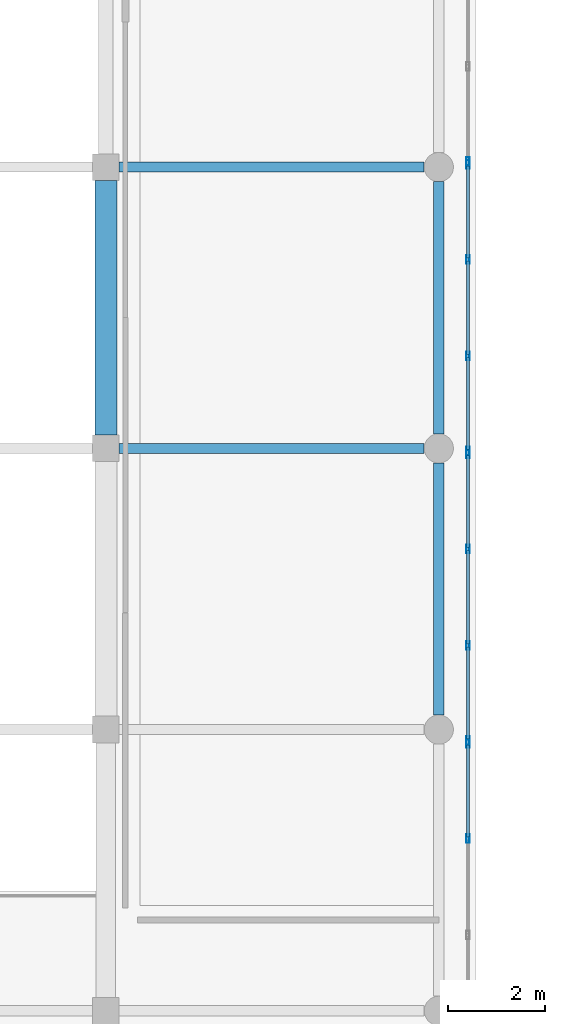
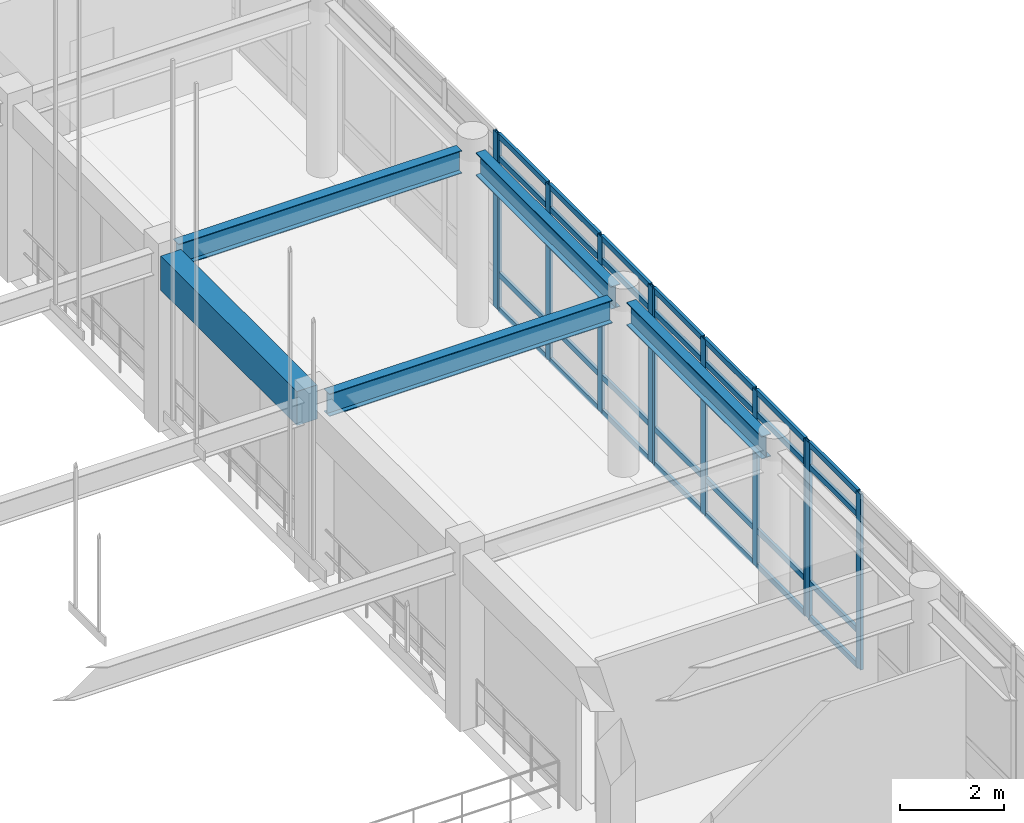
# One storey, part 33 of 142: 39 members, 5 beams, 4 elements without a shape of their own.
"""IFC4 building model written with IfcOpenShell, lengths in metres."""

from ifc_helpers import new_model, si_unit, direction, frame, origin, origin_2d, place, context, subcontext, project, spatial, rectangle, hollow_rectangle, i_section, extrude, material, layer, layer_set, material_profile, profile_set, type_object, element, aggregate, save


model = new_model("IFC4")

# Units and contexts
model_context = context("Model", 3, precision=1e-05, world=origin(), true_north=direction((0.0, 1.0)))
body_context = subcontext(model_context, "Body", "Model", "MODEL_VIEW")
ifc_project = project(units=[si_unit("LENGTHUNIT", "METRE"), si_unit("AREAUNIT", "SQUARE_METRE"), si_unit("VOLUMEUNIT", "CUBIC_METRE"), si_unit("PLANEANGLEUNIT", "RADIAN"), si_unit("MASSUNIT", "GRAM", prefix="KILO")], contexts=[model_context])

# Site, building, storey
site_placement = place(None, origin())
site = spatial("IfcSite", under=ifc_project, at=site_placement, CompositionType="ELEMENT")
building_placement = place(site_placement, origin())
building = spatial("IfcBuilding", under=site, at=building_placement, Name="Valcora Specialist Clinic", CompositionType="ELEMENT")
storey_placement = place(building_placement, frame((0.0, 0.0, 5.10009765625)))
storey = spatial("IfcBuildingStorey", under=building, at=storey_placement, Name="L01", CompositionType="ELEMENT", Elevation=5.10009765625)

# Beams
ifc_material_1 = material(Name="Steel ASTM A992 Grade 50", Category="steel")
ifc_material_profile_1 = material_profile(ifc_material_1, i_section(OverallWidth=0.208984375, OverallDepth=0.532958984375, WebThickness=0.010009765625, FlangeThickness=0.01611328125, at=origin_2d()), Name="ST-IR-530X210")
ifc_profile_set_1 = profile_set([ifc_material_profile_1], Name="Steel ASTM A992 Grade 50")
beam_type_1 = type_object("IfcBeamType", Name="TY-BM-IR530", PredefinedType="SPANDREL", material=ifc_profile_set_1)
for number, where, z_axis, x_axis, name in (
    (1, (22.675048828125, 56.10693359375, 3.849365234375), (1.0, 0.0, 0.0), (0.0, 1.0, 0.0), "Beam BM-L01-0146"),
    (2, (22.675048828125, 61.89306640625, 3.849365234375), (1.0, 0.0, 0.0), (0.0, 1.0, 0.0), "Beam BM-L01-0149"),
):
    element("IfcBeam", number, at=place(storey_placement, frame(where, z_axis=z_axis, x_axis=x_axis)), inside=storey, type_object=beam_type_1, Name=name, PredefinedType="SPANDREL", context=body_context, shape_type="SweptSolid", body=[
        extrude(i_section(OverallWidth=0.208984375, OverallDepth=0.532958984375, WebThickness=0.010009765625, FlangeThickness=0.01611328125, at=origin_2d()), origin(), (0.0, 0.0, 1.0), 6.27490234375),
    ])
beam_1_placement = place(storey_placement, frame((29.25, 50.62109375, 3.849365234375), z_axis=(0.0, 1.0, 0.0), x_axis=(-1.0, 0.0, 0.0)))
element("IfcBeam", 3, at=beam_1_placement, inside=storey, type_object=beam_type_1, Name="Beam BM-L01-0184", PredefinedType="SPANDREL", context=body_context, shape_type="SweptSolid", body=[
    extrude(i_section(OverallWidth=0.208984375, OverallDepth=0.532958984375, WebThickness=0.010009765625, FlangeThickness=0.01611328125, at=origin_2d()), origin(), (0.0, 0.0, 1.0), 5.185791015625),
])
beam_2_placement = place(storey_placement, frame((29.25, 56.406982421875, 3.849365234375), z_axis=(0.0, 1.0, 0.0), x_axis=(-1.0, 0.0, 0.0)))
element("IfcBeam", 4, at=beam_2_placement, inside=storey, type_object=beam_type_1, Name="Beam BM-L01-0185", PredefinedType="SPANDREL", context=body_context, shape_type="SweptSolid", body=[
    extrude(i_section(OverallWidth=0.208984375, OverallDepth=0.532958984375, WebThickness=0.010009765625, FlangeThickness=0.01611328125, at=origin_2d()), origin(), (0.0, 0.0, 1.0), 5.18603515625),
])
ifc_material_2 = material(Name="Concrete C40/50", Category="concrete")
ifc_material_profile_2 = material_profile(ifc_material_2, rectangle(XDim=0.449951171875, YDim=0.800048828125, at=origin_2d()), Name="RC-BM-450X800")
ifc_profile_set_2 = profile_set([ifc_material_profile_2], Name="Concrete C40/50")
beam_type_2 = type_object("IfcBeamType", Name="TY-BM-RC450X800", PredefinedType="BEAM", material=ifc_profile_set_2)
beam_3_placement = place(storey_placement, frame((22.39990234375, 56.382080078125, 3.719970703125), z_axis=(0.0, 1.0, 0.0), x_axis=(-1.0, 0.0, 0.0)))
element("IfcBeam", 5, at=beam_3_placement, inside=storey, type_object=beam_type_2, Name="Beam BM-L01-0178", PredefinedType="BEAM", context=body_context, shape_type="SweptSolid", body=[
    extrude(rectangle(XDim=0.449951171875, YDim=0.800048828125, at=origin_2d()), origin(), (0.0, 0.0, 1.0), 5.23583984375),
])

# Curtain wall, member
ifc_material_3 = material(Name="Anodized Bronze Aluminium 6063-T6", Category="aluminium")
ifc_layer = layer(ifc_material_3, 0.175048828125)
ifc_layer_set = layer_set([ifc_layer], Name="Anodized Bronze Aluminium 6063-T6")
curtain_wall_type = type_object("IfcCurtainWallType", Name="TY-CW-HAL18", PredefinedType="NOTDEFINED", material=ifc_layer_set)
curtain_wall_1_placement = place(storey_placement, origin())
curtain_wall_1 = element("IfcCurtainWall", 6, at=curtain_wall_1_placement, inside=storey, type_object=curtain_wall_type, Name="Curtain wall CW-L01-010", PredefinedType="NOTDEFINED")
ifc_material_profile_3 = material_profile(ifc_material_3, hollow_rectangle(XDim=0.06494140625, YDim=0.175048828125, WallThickness=0.00390625, at=origin_2d()), Name="AL-MUL-65X175")
ifc_profile_set_3 = profile_set([ifc_material_profile_3], Name="Anodized Bronze Aluminium 6063-T6")
member_type_1 = type_object("IfcMemberType", Name="TY-CWM-65X175", PredefinedType="MULLION", material=ifc_profile_set_3)
member_1_placement = place(storey_placement, frame((29.85009765625, 62.010986328125, 0.0), z_axis=(0.0, 0.0, 1.0), x_axis=(1.0, 0.0, 0.0)))
member_1 = element("IfcMember", 7, at=member_1_placement, type_object=member_type_1, Name="CW-HAL-18 mullion 4", PredefinedType="MULLION", context=body_context, shape_type="SweptSolid", body=[
    extrude(hollow_rectangle(XDim=0.06494140625, YDim=0.175048828125, WallThickness=0.00390625, at=origin_2d()), origin(), (0.0, 0.0, 1.0), 4.119873046875),
])
aggregate(curtain_wall_1, [member_1])

# Curtain wall, members
curtain_wall_2_placement = place(storey_placement, origin())
curtain_wall_2 = element("IfcCurtainWall", 8, at=curtain_wall_2_placement, inside=storey, type_object=curtain_wall_type, Name="Curtain wall CW-L01-011", PredefinedType="NOTDEFINED")
member_2_placement = place(storey_placement, frame((29.85009765625, 61.946044921875, 0.0), z_axis=(0.0, 0.0, 1.0), x_axis=(1.0, 0.0, 0.0)))
member_2 = element("IfcMember", 9, at=member_2_placement, type_object=member_type_1, Name="CW-HAL-18 mullion 1", PredefinedType="MULLION", context=body_context, shape_type="SweptSolid", body=[
    extrude(hollow_rectangle(XDim=0.06494140625, YDim=0.175048828125, WallThickness=0.00390625, at=origin_2d()), origin(), (0.0, 0.0, 1.0), 4.119873046875),
])
member_3_placement = place(storey_placement, frame((29.85009765625, 59.992919921875, 0.0), z_axis=(0.0, 0.0, 1.0), x_axis=(1.0, 0.0, 0.0)))
member_3 = element("IfcMember", 10, at=member_3_placement, type_object=member_type_1, Name="CW-HAL-18 mullion 2", PredefinedType="MULLION", context=body_context, shape_type="SweptSolid", body=[
    extrude(hollow_rectangle(XDim=0.06494140625, YDim=0.175048828125, WallThickness=0.00390625, at=origin_2d()), origin(), (0.0, 0.0, 1.0), 4.119873046875),
])
member_4_placement = place(storey_placement, frame((29.85009765625, 58.007080078125, 0.0), z_axis=(0.0, 0.0, 1.0), x_axis=(1.0, 0.0, 0.0)))
member_4 = element("IfcMember", 11, at=member_4_placement, type_object=member_type_1, Name="CW-HAL-18 mullion 3", PredefinedType="MULLION", context=body_context, shape_type="SweptSolid", body=[
    extrude(hollow_rectangle(XDim=0.06494140625, YDim=0.175048828125, WallThickness=0.00390625, at=origin_2d()), origin(), (0.0, 0.0, 1.0), 4.119873046875),
])
member_5_placement = place(storey_placement, frame((29.85009765625, 56.053955078125, 0.0), z_axis=(0.0, 0.0, 1.0), x_axis=(1.0, 0.0, 0.0)))
member_5 = element("IfcMember", 12, at=member_5_placement, type_object=member_type_1, Name="CW-HAL-18 mullion 4", PredefinedType="MULLION", context=body_context, shape_type="SweptSolid", body=[
    extrude(hollow_rectangle(XDim=0.06494140625, YDim=0.175048828125, WallThickness=0.00390625, at=origin_2d()), origin(), (0.0, 0.0, 1.0), 4.119873046875),
])

curtain_wall_3_placement = place(storey_placement, origin())
curtain_wall_3 = element("IfcCurtainWall", 13, at=curtain_wall_3_placement, inside=storey, type_object=curtain_wall_type, Name="Curtain wall CW-L01-012", PredefinedType="NOTDEFINED")
member_6_placement = place(storey_placement, frame((29.85009765625, 55.989013671875, 0.0), z_axis=(0.0, 0.0, 1.0), x_axis=(1.0, 0.0, 0.0)))
member_6 = element("IfcMember", 14, at=member_6_placement, type_object=member_type_1, Name="CW-HAL-18 mullion 1", PredefinedType="MULLION", context=body_context, shape_type="SweptSolid", body=[
    extrude(hollow_rectangle(XDim=0.06494140625, YDim=0.175048828125, WallThickness=0.00390625, at=origin_2d()), origin(), (0.0, 0.0, 1.0), 4.119873046875),
])
member_7_placement = place(storey_placement, frame((29.85009765625, 54.03564453125, 0.0), z_axis=(0.0, 0.0, 1.0), x_axis=(1.0, 0.0, 0.0)))
member_7 = element("IfcMember", 15, at=member_7_placement, type_object=member_type_1, Name="CW-HAL-18 mullion 2", PredefinedType="MULLION", context=body_context, shape_type="SweptSolid", body=[
    extrude(hollow_rectangle(XDim=0.06494140625, YDim=0.175048828125, WallThickness=0.00390625, at=origin_2d()), origin(), (0.0, 0.0, 1.0), 4.119873046875),
])
member_8_placement = place(storey_placement, frame((29.85009765625, 52.050048828125, 0.0), z_axis=(0.0, 0.0, 1.0), x_axis=(1.0, 0.0, 0.0)))
member_8 = element("IfcMember", 16, at=member_8_placement, type_object=member_type_1, Name="CW-HAL-18 mullion 3", PredefinedType="MULLION", context=body_context, shape_type="SweptSolid", body=[
    extrude(hollow_rectangle(XDim=0.06494140625, YDim=0.175048828125, WallThickness=0.00390625, at=origin_2d()), origin(), (0.0, 0.0, 1.0), 4.119873046875),
])
member_9_placement = place(storey_placement, frame((29.85009765625, 50.0966796875, 0.0), z_axis=(0.0, 0.0, 1.0), x_axis=(1.0, 0.0, 0.0)))
member_9 = element("IfcMember", 17, at=member_9_placement, type_object=member_type_1, Name="CW-HAL-18 mullion 4", PredefinedType="MULLION", context=body_context, shape_type="SweptSolid", body=[
    extrude(hollow_rectangle(XDim=0.06494140625, YDim=0.175048828125, WallThickness=0.00390625, at=origin_2d()), origin(), (0.0, 0.0, 1.0), 4.119873046875),
])

curtain_wall_4_placement = place(storey_placement, origin())
curtain_wall_4 = element("IfcCurtainWall", 18, at=curtain_wall_4_placement, inside=storey, type_object=curtain_wall_type, Name="Curtain wall CW-L01-013", PredefinedType="NOTDEFINED")
member_10_placement = place(storey_placement, frame((29.85009765625, 50.03173828125, 0.0), z_axis=(0.0, 0.0, 1.0), x_axis=(1.0, 0.0, 0.0)))
member_10 = element("IfcMember", 19, at=member_10_placement, type_object=member_type_1, Name="CW-HAL-18 mullion 1", PredefinedType="MULLION", context=body_context, shape_type="SweptSolid", body=[
    extrude(hollow_rectangle(XDim=0.06494140625, YDim=0.175048828125, WallThickness=0.00390625, at=origin_2d()), origin(), (0.0, 0.0, 1.0), 4.119873046875),
])
member_11_placement = place(storey_placement, frame((29.85009765625, 48.07861328125, 0.0), z_axis=(0.0, 0.0, 1.0), x_axis=(1.0, 0.0, 0.0)))
member_11 = element("IfcMember", 20, at=member_11_placement, type_object=member_type_1, Name="CW-HAL-18 mullion 2", PredefinedType="MULLION", context=body_context, shape_type="SweptSolid", body=[
    extrude(hollow_rectangle(XDim=0.06494140625, YDim=0.175048828125, WallThickness=0.00390625, at=origin_2d()), origin(), (0.0, 0.0, 1.0), 4.119873046875),
])

# Member
ifc_material_profile_4 = material_profile(ifc_material_3, hollow_rectangle(XDim=0.06494140625, YDim=0.1298828125, WallThickness=0.00390625, at=origin_2d()), Name="AL-TRN-65X130")
ifc_profile_set_4 = profile_set([ifc_material_profile_4], Name="Anodized Bronze Aluminium 6063-T6")
member_type_2 = type_object("IfcMemberType", Name="TY-CWT-65X130", PredefinedType="USERDEFINED", material=ifc_profile_set_4)
member_12_placement = place(storey_placement, frame((29.85009765625, 61.91357421875, 0.032470703125), z_axis=(0.0, -1.0, 0.0), x_axis=(1.0, 0.0, 0.0)))
member_12 = element("IfcMember", 21, at=member_12_placement, type_object=member_type_2, Name="CW-HAL-18 transom 1.1", ObjectType="TRANSOM", PredefinedType="USERDEFINED", context=body_context, shape_type="SweptSolid", body=[
    extrude(hollow_rectangle(XDim=0.06494140625, YDim=0.1298828125, WallThickness=0.00390625, at=origin_2d()), origin(), (0.0, 0.0, 1.0), 1.88818359375),
])

member_13_placement = place(storey_placement, frame((29.85009765625, 61.91357421875, 0.849853515625), z_axis=(0.0, -1.0, 0.0), x_axis=(1.0, 0.0, 0.0)))
member_13 = element("IfcMember", 22, at=member_13_placement, type_object=member_type_2, Name="CW-HAL-18 transom 1.2", ObjectType="TRANSOM", PredefinedType="USERDEFINED", context=body_context, shape_type="SweptSolid", body=[
    extrude(hollow_rectangle(XDim=0.06494140625, YDim=0.1298828125, WallThickness=0.00390625, at=origin_2d()), origin(), (0.0, 0.0, 1.0), 1.88818359375),
])

member_14_placement = place(storey_placement, frame((29.85009765625, 61.91357421875, 3.56982421875), z_axis=(0.0, -1.0, 0.0), x_axis=(1.0, 0.0, 0.0)))
member_14 = element("IfcMember", 23, at=member_14_placement, type_object=member_type_2, Name="CW-HAL-18 transom 1.3", ObjectType="TRANSOM", PredefinedType="USERDEFINED", context=body_context, shape_type="SweptSolid", body=[
    extrude(hollow_rectangle(XDim=0.06494140625, YDim=0.1298828125, WallThickness=0.00390625, at=origin_2d()), origin(), (0.0, 0.0, 1.0), 1.88818359375),
])

member_15_placement = place(storey_placement, frame((29.85009765625, 61.91357421875, 4.08740234375), z_axis=(0.0, -1.0, 0.0), x_axis=(1.0, 0.0, 0.0)))
member_15 = element("IfcMember", 24, at=member_15_placement, type_object=member_type_2, Name="CW-HAL-18 transom 1.4", ObjectType="TRANSOM", PredefinedType="USERDEFINED", context=body_context, shape_type="SweptSolid", body=[
    extrude(hollow_rectangle(XDim=0.06494140625, YDim=0.1298828125, WallThickness=0.00390625, at=origin_2d()), origin(), (0.0, 0.0, 1.0), 1.88818359375),
])

member_16_placement = place(storey_placement, frame((29.85009765625, 59.96044921875, 0.032470703125), z_axis=(0.0, -1.0, 0.0), x_axis=(1.0, 0.0, 0.0)))
member_16 = element("IfcMember", 25, at=member_16_placement, type_object=member_type_2, Name="CW-HAL-18 transom 2.1", ObjectType="TRANSOM", PredefinedType="USERDEFINED", context=body_context, shape_type="SweptSolid", body=[
    extrude(hollow_rectangle(XDim=0.06494140625, YDim=0.1298828125, WallThickness=0.00390625, at=origin_2d()), origin(), (0.0, 0.0, 1.0), 1.9208984375),
])

member_17_placement = place(storey_placement, frame((29.85009765625, 59.96044921875, 0.849853515625), z_axis=(0.0, -1.0, 0.0), x_axis=(1.0, 0.0, 0.0)))
member_17 = element("IfcMember", 26, at=member_17_placement, type_object=member_type_2, Name="CW-HAL-18 transom 2.2", ObjectType="TRANSOM", PredefinedType="USERDEFINED", context=body_context, shape_type="SweptSolid", body=[
    extrude(hollow_rectangle(XDim=0.06494140625, YDim=0.1298828125, WallThickness=0.00390625, at=origin_2d()), origin(), (0.0, 0.0, 1.0), 1.9208984375),
])

member_18_placement = place(storey_placement, frame((29.85009765625, 59.96044921875, 3.56982421875), z_axis=(0.0, -1.0, 0.0), x_axis=(1.0, 0.0, 0.0)))
member_18 = element("IfcMember", 27, at=member_18_placement, type_object=member_type_2, Name="CW-HAL-18 transom 2.3", ObjectType="TRANSOM", PredefinedType="USERDEFINED", context=body_context, shape_type="SweptSolid", body=[
    extrude(hollow_rectangle(XDim=0.06494140625, YDim=0.1298828125, WallThickness=0.00390625, at=origin_2d()), origin(), (0.0, 0.0, 1.0), 1.9208984375),
])

member_19_placement = place(storey_placement, frame((29.85009765625, 59.96044921875, 4.08740234375), z_axis=(0.0, -1.0, 0.0), x_axis=(1.0, 0.0, 0.0)))
member_19 = element("IfcMember", 28, at=member_19_placement, type_object=member_type_2, Name="CW-HAL-18 transom 2.4", ObjectType="TRANSOM", PredefinedType="USERDEFINED", context=body_context, shape_type="SweptSolid", body=[
    extrude(hollow_rectangle(XDim=0.06494140625, YDim=0.1298828125, WallThickness=0.00390625, at=origin_2d()), origin(), (0.0, 0.0, 1.0), 1.9208984375),
])

member_20_placement = place(storey_placement, frame((29.85009765625, 57.974609375, 0.032470703125), z_axis=(0.0, -1.0, 0.0), x_axis=(1.0, 0.0, 0.0)))
member_20 = element("IfcMember", 29, at=member_20_placement, type_object=member_type_2, Name="CW-HAL-18 transom 3.1", ObjectType="TRANSOM", PredefinedType="USERDEFINED", context=body_context, shape_type="SweptSolid", body=[
    extrude(hollow_rectangle(XDim=0.06494140625, YDim=0.1298828125, WallThickness=0.00390625, at=origin_2d()), origin(), (0.0, 0.0, 1.0), 1.88818359375),
])

member_21_placement = place(storey_placement, frame((29.85009765625, 57.974609375, 0.849853515625), z_axis=(0.0, -1.0, 0.0), x_axis=(1.0, 0.0, 0.0)))
member_21 = element("IfcMember", 30, at=member_21_placement, type_object=member_type_2, Name="CW-HAL-18 transom 3.2", ObjectType="TRANSOM", PredefinedType="USERDEFINED", context=body_context, shape_type="SweptSolid", body=[
    extrude(hollow_rectangle(XDim=0.06494140625, YDim=0.1298828125, WallThickness=0.00390625, at=origin_2d()), origin(), (0.0, 0.0, 1.0), 1.88818359375),
])

member_22_placement = place(storey_placement, frame((29.85009765625, 57.974609375, 3.56982421875), z_axis=(0.0, -1.0, 0.0), x_axis=(1.0, 0.0, 0.0)))
member_22 = element("IfcMember", 31, at=member_22_placement, type_object=member_type_2, Name="CW-HAL-18 transom 3.3", ObjectType="TRANSOM", PredefinedType="USERDEFINED", context=body_context, shape_type="SweptSolid", body=[
    extrude(hollow_rectangle(XDim=0.06494140625, YDim=0.1298828125, WallThickness=0.00390625, at=origin_2d()), origin(), (0.0, 0.0, 1.0), 1.88818359375),
])

member_23_placement = place(storey_placement, frame((29.85009765625, 57.974609375, 4.08740234375), z_axis=(0.0, -1.0, 0.0), x_axis=(1.0, 0.0, 0.0)))
member_23 = element("IfcMember", 32, at=member_23_placement, type_object=member_type_2, Name="CW-HAL-18 transom 3.4", ObjectType="TRANSOM", PredefinedType="USERDEFINED", context=body_context, shape_type="SweptSolid", body=[
    extrude(hollow_rectangle(XDim=0.06494140625, YDim=0.1298828125, WallThickness=0.00390625, at=origin_2d()), origin(), (0.0, 0.0, 1.0), 1.88818359375),
])

aggregate(curtain_wall_2, [member_2, member_3, member_4, member_5, member_12, member_13, member_14, member_15, member_16, member_17, member_18, member_19, member_20, member_21, member_22, member_23])

member_24_placement = place(storey_placement, frame((29.85009765625, 55.956298828125, 0.032470703125), z_axis=(0.0, -1.0, 0.0), x_axis=(1.0, 0.0, 0.0)))
member_24 = element("IfcMember", 33, at=member_24_placement, type_object=member_type_2, Name="CW-HAL-18 transom 1.1", ObjectType="TRANSOM", PredefinedType="USERDEFINED", context=body_context, shape_type="SweptSolid", body=[
    extrude(hollow_rectangle(XDim=0.06494140625, YDim=0.1298828125, WallThickness=0.00390625, at=origin_2d()), origin(), (0.0, 0.0, 1.0), 1.88818359375),
])

member_25_placement = place(storey_placement, frame((29.85009765625, 55.956298828125, 0.849853515625), z_axis=(0.0, -1.0, 0.0), x_axis=(1.0, 0.0, 0.0)))
member_25 = element("IfcMember", 34, at=member_25_placement, type_object=member_type_2, Name="CW-HAL-18 transom 1.2", ObjectType="TRANSOM", PredefinedType="USERDEFINED", context=body_context, shape_type="SweptSolid", body=[
    extrude(hollow_rectangle(XDim=0.06494140625, YDim=0.1298828125, WallThickness=0.00390625, at=origin_2d()), origin(), (0.0, 0.0, 1.0), 1.88818359375),
])

member_26_placement = place(storey_placement, frame((29.85009765625, 55.956298828125, 3.56982421875), z_axis=(0.0, -1.0, 0.0), x_axis=(1.0, 0.0, 0.0)))
member_26 = element("IfcMember", 35, at=member_26_placement, type_object=member_type_2, Name="CW-HAL-18 transom 1.3", ObjectType="TRANSOM", PredefinedType="USERDEFINED", context=body_context, shape_type="SweptSolid", body=[
    extrude(hollow_rectangle(XDim=0.06494140625, YDim=0.1298828125, WallThickness=0.00390625, at=origin_2d()), origin(), (0.0, 0.0, 1.0), 1.88818359375),
])

member_27_placement = place(storey_placement, frame((29.85009765625, 55.956298828125, 4.08740234375), z_axis=(0.0, -1.0, 0.0), x_axis=(1.0, 0.0, 0.0)))
member_27 = element("IfcMember", 36, at=member_27_placement, type_object=member_type_2, Name="CW-HAL-18 transom 1.4", ObjectType="TRANSOM", PredefinedType="USERDEFINED", context=body_context, shape_type="SweptSolid", body=[
    extrude(hollow_rectangle(XDim=0.06494140625, YDim=0.1298828125, WallThickness=0.00390625, at=origin_2d()), origin(), (0.0, 0.0, 1.0), 1.88818359375),
])

member_28_placement = place(storey_placement, frame((29.85009765625, 54.003173828125, 0.032470703125), z_axis=(0.0, -1.0, 0.0), x_axis=(1.0, 0.0, 0.0)))
member_28 = element("IfcMember", 37, at=member_28_placement, type_object=member_type_2, Name="CW-HAL-18 transom 2.1", ObjectType="TRANSOM", PredefinedType="USERDEFINED", context=body_context, shape_type="SweptSolid", body=[
    extrude(hollow_rectangle(XDim=0.06494140625, YDim=0.1298828125, WallThickness=0.00390625, at=origin_2d()), origin(), (0.0, 0.0, 1.0), 1.920654296875),
])

member_29_placement = place(storey_placement, frame((29.85009765625, 54.003173828125, 0.849853515625), z_axis=(0.0, -1.0, 0.0), x_axis=(1.0, 0.0, 0.0)))
member_29 = element("IfcMember", 38, at=member_29_placement, type_object=member_type_2, Name="CW-HAL-18 transom 2.2", ObjectType="TRANSOM", PredefinedType="USERDEFINED", context=body_context, shape_type="SweptSolid", body=[
    extrude(hollow_rectangle(XDim=0.06494140625, YDim=0.1298828125, WallThickness=0.00390625, at=origin_2d()), origin(), (0.0, 0.0, 1.0), 1.920654296875),
])

member_30_placement = place(storey_placement, frame((29.85009765625, 54.003173828125, 3.56982421875), z_axis=(0.0, -1.0, 0.0), x_axis=(1.0, 0.0, 0.0)))
member_30 = element("IfcMember", 39, at=member_30_placement, type_object=member_type_2, Name="CW-HAL-18 transom 2.3", ObjectType="TRANSOM", PredefinedType="USERDEFINED", context=body_context, shape_type="SweptSolid", body=[
    extrude(hollow_rectangle(XDim=0.06494140625, YDim=0.1298828125, WallThickness=0.00390625, at=origin_2d()), origin(), (0.0, 0.0, 1.0), 1.920654296875),
])

member_31_placement = place(storey_placement, frame((29.85009765625, 54.003173828125, 4.08740234375), z_axis=(0.0, -1.0, 0.0), x_axis=(1.0, 0.0, 0.0)))
member_31 = element("IfcMember", 40, at=member_31_placement, type_object=member_type_2, Name="CW-HAL-18 transom 2.4", ObjectType="TRANSOM", PredefinedType="USERDEFINED", context=body_context, shape_type="SweptSolid", body=[
    extrude(hollow_rectangle(XDim=0.06494140625, YDim=0.1298828125, WallThickness=0.00390625, at=origin_2d()), origin(), (0.0, 0.0, 1.0), 1.920654296875),
])

member_32_placement = place(storey_placement, frame((29.85009765625, 52.017578125, 0.032470703125), z_axis=(0.0, -1.0, 0.0), x_axis=(1.0, 0.0, 0.0)))
member_32 = element("IfcMember", 41, at=member_32_placement, type_object=member_type_2, Name="CW-HAL-18 transom 3.1", ObjectType="TRANSOM", PredefinedType="USERDEFINED", context=body_context, shape_type="SweptSolid", body=[
    extrude(hollow_rectangle(XDim=0.06494140625, YDim=0.1298828125, WallThickness=0.00390625, at=origin_2d()), origin(), (0.0, 0.0, 1.0), 1.88818359375),
])

member_33_placement = place(storey_placement, frame((29.85009765625, 52.017578125, 0.849853515625), z_axis=(0.0, -1.0, 0.0), x_axis=(1.0, 0.0, 0.0)))
member_33 = element("IfcMember", 42, at=member_33_placement, type_object=member_type_2, Name="CW-HAL-18 transom 3.2", ObjectType="TRANSOM", PredefinedType="USERDEFINED", context=body_context, shape_type="SweptSolid", body=[
    extrude(hollow_rectangle(XDim=0.06494140625, YDim=0.1298828125, WallThickness=0.00390625, at=origin_2d()), origin(), (0.0, 0.0, 1.0), 1.88818359375),
])

member_34_placement = place(storey_placement, frame((29.85009765625, 52.017578125, 3.56982421875), z_axis=(0.0, -1.0, 0.0), x_axis=(1.0, 0.0, 0.0)))
member_34 = element("IfcMember", 43, at=member_34_placement, type_object=member_type_2, Name="CW-HAL-18 transom 3.3", ObjectType="TRANSOM", PredefinedType="USERDEFINED", context=body_context, shape_type="SweptSolid", body=[
    extrude(hollow_rectangle(XDim=0.06494140625, YDim=0.1298828125, WallThickness=0.00390625, at=origin_2d()), origin(), (0.0, 0.0, 1.0), 1.88818359375),
])

member_35_placement = place(storey_placement, frame((29.85009765625, 52.017578125, 4.08740234375), z_axis=(0.0, -1.0, 0.0), x_axis=(1.0, 0.0, 0.0)))
member_35 = element("IfcMember", 44, at=member_35_placement, type_object=member_type_2, Name="CW-HAL-18 transom 3.4", ObjectType="TRANSOM", PredefinedType="USERDEFINED", context=body_context, shape_type="SweptSolid", body=[
    extrude(hollow_rectangle(XDim=0.06494140625, YDim=0.1298828125, WallThickness=0.00390625, at=origin_2d()), origin(), (0.0, 0.0, 1.0), 1.88818359375),
])

aggregate(curtain_wall_3, [member_6, member_7, member_8, member_9, member_24, member_25, member_26, member_27, member_28, member_29, member_30, member_31, member_32, member_33, member_34, member_35])

member_36_placement = place(storey_placement, frame((29.85009765625, 49.999267578125, 0.032470703125), z_axis=(0.0, -1.0, 0.0), x_axis=(1.0, 0.0, 0.0)))
member_36 = element("IfcMember", 45, at=member_36_placement, type_object=member_type_2, Name="CW-HAL-18 transom 1.1", ObjectType="TRANSOM", PredefinedType="USERDEFINED", context=body_context, shape_type="SweptSolid", body=[
    extrude(hollow_rectangle(XDim=0.06494140625, YDim=0.1298828125, WallThickness=0.00390625, at=origin_2d()), origin(), (0.0, 0.0, 1.0), 1.88818359375),
])

member_37_placement = place(storey_placement, frame((29.85009765625, 49.999267578125, 0.849853515625), z_axis=(0.0, -1.0, 0.0), x_axis=(1.0, 0.0, 0.0)))
member_37 = element("IfcMember", 46, at=member_37_placement, type_object=member_type_2, Name="CW-HAL-18 transom 1.2", ObjectType="TRANSOM", PredefinedType="USERDEFINED", context=body_context, shape_type="SweptSolid", body=[
    extrude(hollow_rectangle(XDim=0.06494140625, YDim=0.1298828125, WallThickness=0.00390625, at=origin_2d()), origin(), (0.0, 0.0, 1.0), 1.88818359375),
])

member_38_placement = place(storey_placement, frame((29.85009765625, 49.999267578125, 3.56982421875), z_axis=(0.0, -1.0, 0.0), x_axis=(1.0, 0.0, 0.0)))
member_38 = element("IfcMember", 47, at=member_38_placement, type_object=member_type_2, Name="CW-HAL-18 transom 1.3", ObjectType="TRANSOM", PredefinedType="USERDEFINED", context=body_context, shape_type="SweptSolid", body=[
    extrude(hollow_rectangle(XDim=0.06494140625, YDim=0.1298828125, WallThickness=0.00390625, at=origin_2d()), origin(), (0.0, 0.0, 1.0), 1.88818359375),
])

member_39_placement = place(storey_placement, frame((29.85009765625, 49.999267578125, 4.08740234375), z_axis=(0.0, -1.0, 0.0), x_axis=(1.0, 0.0, 0.0)))
member_39 = element("IfcMember", 48, at=member_39_placement, type_object=member_type_2, Name="CW-HAL-18 transom 1.4", ObjectType="TRANSOM", PredefinedType="USERDEFINED", context=body_context, shape_type="SweptSolid", body=[
    extrude(hollow_rectangle(XDim=0.06494140625, YDim=0.1298828125, WallThickness=0.00390625, at=origin_2d()), origin(), (0.0, 0.0, 1.0), 1.88818359375),
])

aggregate(curtain_wall_4, [member_10, member_11, member_36, member_37, member_38, member_39])

save(model, "model.ifc")
